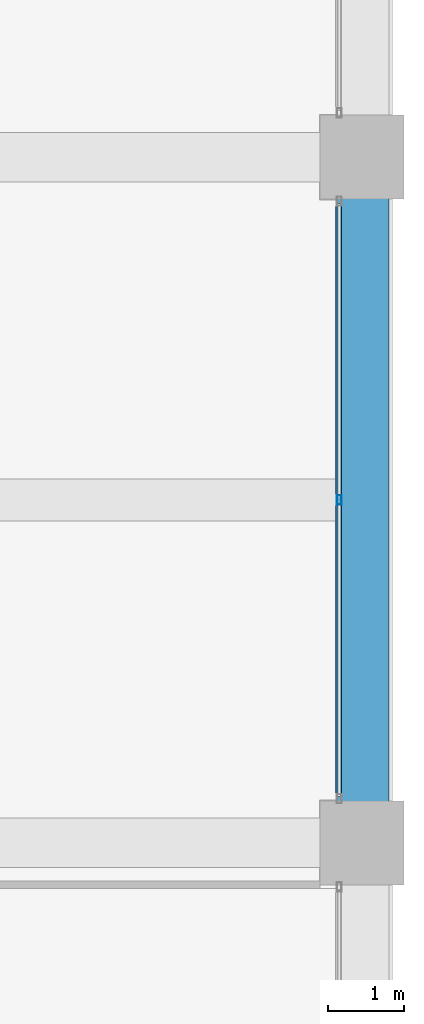
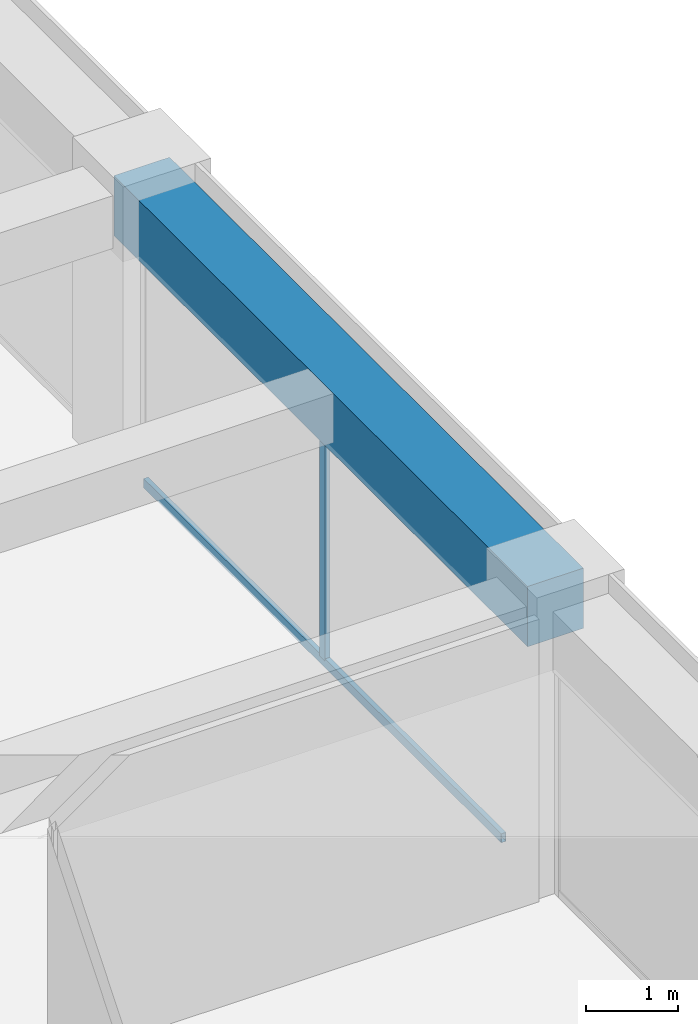
# One storey, part 25 of 44: 2 members, 1 beam, 1 element without a shape of its own.
"""IFC4 building model written with IfcOpenShell, lengths in metres."""

from ifc_helpers import new_model, si_unit, direction, frame, origin, origin_2d, place, context, subcontext, project, spatial, rectangle, hollow_rectangle, extrude, material, material_profile, profile_set, type_object, element, aggregate, save


model = new_model("IFC4")

# Units and contexts
model_context = context("Model", 3, precision=1e-05, world=origin(), true_north=direction((0.0, 1.0)))
body_context = subcontext(model_context, "Body", "Model", "MODEL_VIEW")
ifc_project = project(units=[si_unit("LENGTHUNIT", "METRE"), si_unit("AREAUNIT", "SQUARE_METRE"), si_unit("VOLUMEUNIT", "CUBIC_METRE"), si_unit("PLANEANGLEUNIT", "RADIAN"), si_unit("MASSUNIT", "GRAM", prefix="KILO")], contexts=[model_context])

# Site, building, storey
site_placement = place(None, origin())
site = spatial("IfcSite", under=ifc_project, at=site_placement, CompositionType="ELEMENT")
building_placement = place(site_placement, origin())
building = spatial("IfcBuilding", under=site, at=building_placement, Name="Zorevar Civic Tower", CompositionType="ELEMENT")
storey_placement = place(building_placement, frame((0.0, 0.0, 283.39990234375)))
storey = spatial("IfcBuildingStorey", under=building, at=storey_placement, Name="L69", CompositionType="ELEMENT", Elevation=283.39990234375)

# Curtain wall, members
ifc_material_1 = material(Name="Dark grey solar-control glass in black aluminium frame", Category="aluminium")
curtain_wall_type = type_object("IfcCurtainWallType", Name="Curtain wall CW5 top zone", PredefinedType="NOTDEFINED", material=ifc_material_1)
curtain_wall_placement = place(storey_placement, origin())
curtain_wall = element("IfcCurtainWall", 1, at=curtain_wall_placement, inside=storey, type_object=curtain_wall_type, Name="CW5 L69", PredefinedType="NOTDEFINED")
ifc_material_2 = material(Name="Aluminium, black anodised", Category="aluminium")
ifc_material_profile_1 = material_profile(ifc_material_2, hollow_rectangle(XDim=0.06005859375, YDim=0.1201171875, WallThickness=0.0029296875, at=origin_2d()), Name="AL 120x60x3")
ifc_profile_set_1 = profile_set([ifc_material_profile_1], Name="Aluminium, black anodised")
member_type_1 = type_object("IfcMemberType", Name="CW5 mullion AL 120x60x3", PredefinedType="MULLION", material=ifc_profile_set_1)
member_1_placement = place(storey_placement, frame((53.699951171875, 22.5, 0.06005859375), z_axis=(0.0, 0.0, 1.0), x_axis=(-1.0, 0.0, 0.0)))
member_1 = element("IfcMember", 2, at=member_1_placement, type_object=member_type_1, Name="CW5 mullion 2", PredefinedType="MULLION", context=body_context, shape_type="SweptSolid", body=[
    extrude(hollow_rectangle(XDim=0.06005859375, YDim=0.1201171875, WallThickness=0.0029296875, at=origin_2d()), origin(), (0.0, 0.0, 1.0), 2.89013671875),
])
ifc_material_3 = material(Name="Aluminium, black anodised", Category="aluminium")
ifc_material_profile_2 = material_profile(ifc_material_3, hollow_rectangle(XDim=0.06005859375, YDim=0.1201171875, WallThickness=0.0029296875, at=origin_2d()), Name="AL 120x60x3")
ifc_profile_set_2 = profile_set([ifc_material_profile_2], Name="Aluminium, black anodised")
member_type_2 = type_object("IfcMemberType", Name="CW5 transom AL 120x60x3", PredefinedType="USERDEFINED", material=ifc_profile_set_2)
member_2_placement = place(storey_placement, frame((53.699951171875, 18.610107421875, 0.030029296875), z_axis=(0.0, 1.0, 0.0), x_axis=(-1.0, 0.0, 0.0)))
member_2 = element("IfcMember", 3, at=member_2_placement, type_object=member_type_2, Name="CW5 sill transom", ObjectType="TRANSOM", PredefinedType="USERDEFINED", context=body_context, shape_type="SweptSolid", body=[
    extrude(hollow_rectangle(XDim=0.06005859375, YDim=0.1201171875, WallThickness=0.0029296875, at=origin_2d()), origin(), (0.0, 0.0, 1.0), 7.77978515625),
])
aggregate(curtain_wall, [member_1, member_2])

# Beam
ifc_material_4 = material(Name="Concrete C50/60", Category="concrete")
ifc_material_profile_3 = material_profile(ifc_material_4, rectangle(XDim=0.699951171875, YDim=0.800048828125, at=origin_2d()), Name="RC 700x800")
ifc_profile_set_3 = profile_set([ifc_material_profile_3], Name="Concrete C50/60")
beam_type = type_object("IfcBeamType", Name="Edge beam RC 700x800", PredefinedType="SPANDREL", material=ifc_profile_set_3)
beam_placement = place(storey_placement, frame((54.0, 18.0, 3.35009765625), z_axis=(0.0, 1.0, 0.0), x_axis=(-1.0, 0.0, 0.0)))
element("IfcBeam", 4, at=beam_placement, inside=storey, type_object=beam_type, Name="Edge beam L70", PredefinedType="SPANDREL", context=body_context, shape_type="SweptSolid", body=[
    extrude(rectangle(XDim=0.699951171875, YDim=0.800048828125, at=origin_2d()), origin(), (0.0, 0.0, 1.0), 9.0),
])

save(model, "model.ifc")
